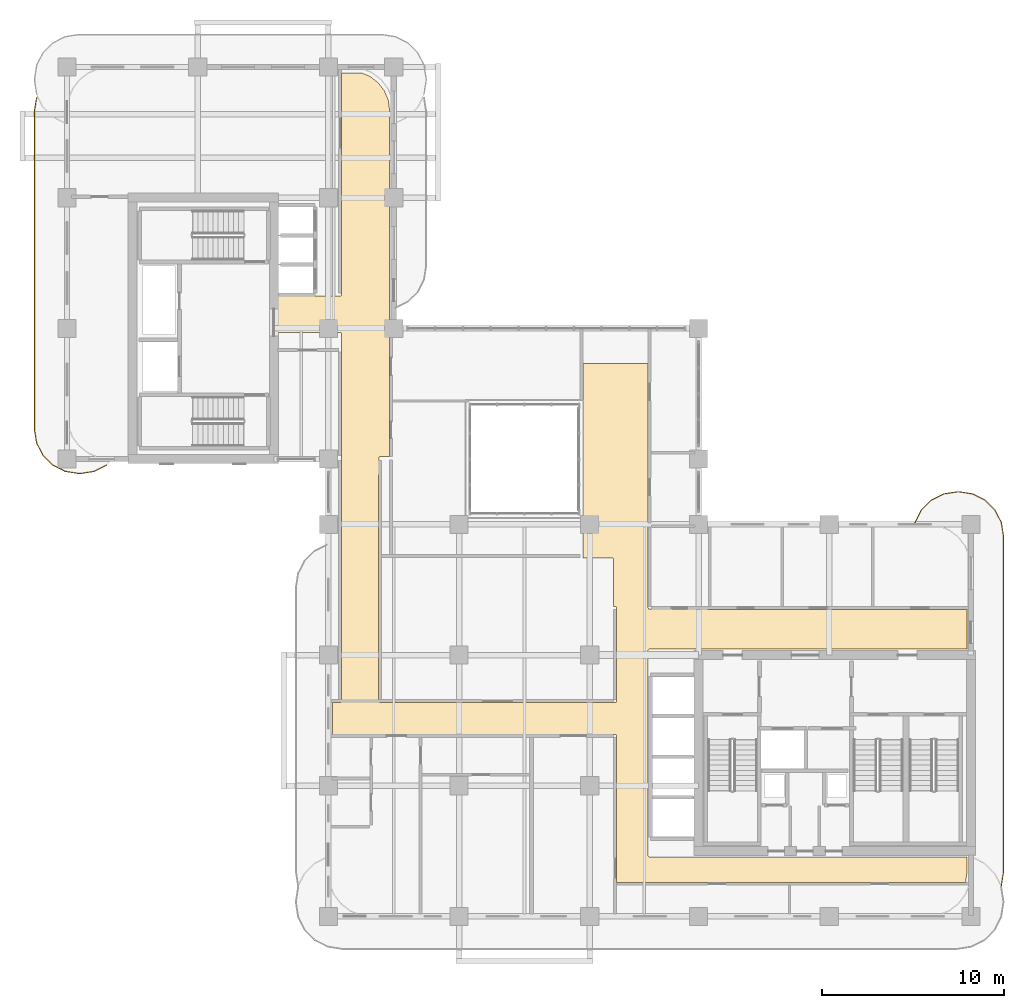
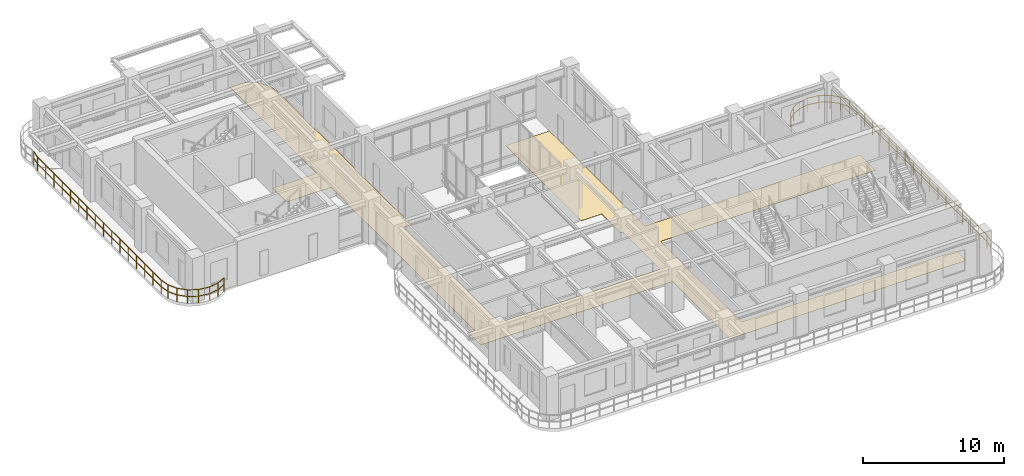
# One storey, part 18 of 19: 2 railings, 1 covering.
"""IFC4 building model written with IfcOpenShell, lengths in metres."""

from ifc_helpers import new_model, si_unit, derived_unit, direction, frame, origin, origin_2d, place, context, subcontext, project, spatial, polyline, rectangle, outline, extrude, material, layer, layer_set, type_object, element, save


model = new_model("IFC4")

# Units and contexts
model_context = context("Model", 3, precision=1e-05, world=origin(), true_north=direction((0.0, 1.0)))
body_context = subcontext(model_context, "Body", "Model", "MODEL_VIEW")
ifc_project = project(units=[si_unit("LENGTHUNIT", "METRE"), si_unit("AREAUNIT", "SQUARE_METRE"), si_unit("VOLUMEUNIT", "CUBIC_METRE"), si_unit("PLANEANGLEUNIT", "RADIAN"), si_unit("MASSUNIT", "GRAM", prefix="KILO"), si_unit("THERMODYNAMICTEMPERATUREUNIT", "KELVIN"), si_unit("POWERUNIT", "WATT"), derived_unit("THERMALTRANSMITTANCEUNIT", [(si_unit("POWERUNIT", "WATT"), 1), (si_unit("AREAUNIT", "SQUARE_METRE"), -1), (si_unit("THERMODYNAMICTEMPERATUREUNIT", "KELVIN"), -1)])], contexts=[model_context])

# Site, building, storey
site_placement = place(None, origin())
site = spatial("IfcSite", under=ifc_project, at=site_placement, CompositionType="ELEMENT")
building_placement = place(site_placement, origin())
building = spatial("IfcBuilding", under=site, at=building_placement, Name="Zahravan Archway Hotel and Residences", CompositionType="ELEMENT")
storey_placement = place(building_placement, frame((0.0, 0.0, 158.0)))
storey = spatial("IfcBuildingStorey", under=building, at=storey_placement, Name="L39", CompositionType="ELEMENT", Elevation=158.0)

# Covering
ifc_material_1 = material(Name="Engineered Walnut Parquet Flooring")
ifc_layer = layer(ifc_material_1, 0.02197265625, Name="Engineered Walnut Parquet Flooring")
ifc_layer_set = layer_set([ifc_layer], Name="Engineered Walnut Parquet Flooring")
covering_type = type_object("IfcCoveringType", Name="COV-FLR-TIMB", PredefinedType="FLOORING", material=ifc_layer_set)
covering_placement = place(storey_placement, origin())
element("IfcCovering", 1, at=covering_placement, inside=storey, type_object=covering_type, Name="L39 Circulation Floor Finish", PredefinedType="FLOORING", context=body_context, shape_type="SweptSolid", body=[
    extrude(outline(polyline([(32.09228515625, 14.7294921875), (32.04931640625, 14.7119140625), (32.0234375, 14.673095703125), (32.02001953125, 3.35009765625), (32.033447265625, 3.3056640625), (32.0693359375, 3.276123046875), (49.580078125, 3.27001953125), (49.580078125, 2.414306640625), (49.509521484375, 1.8798828125), (30.280029296875, 1.8798828125), (30.280029296875, 9.949951171875), (30.2666015625, 9.994384765625), (30.230712890625, 10.02392578125), (14.6201171875, 10.030029296875), (14.6201171875, 11.7900390625), (15.050048828125, 11.7900390625), (15.094482421875, 11.803466796875), (15.123779296875, 11.83935546875), (15.1298828125, 32.10009765625), (15.116455078125, 32.144287109375), (15.08056640625, 32.173828125), (11.530029296875, 32.179931640625), (11.530029296875, 34.169921875), (15.050048828125, 34.169921875), (15.094482421875, 34.18359375), (15.123779296875, 34.219482421875), (15.1298828125, 46.469970703125), (16.24560546875, 46.469970703125), (16.689208984375, 46.286376953125), (17.14013671875, 45.940185546875), (17.486328125, 45.489013671875), (17.703857421875, 44.9638671875), (17.77001953125, 44.46142578125), (17.77001953125, 25.330078125), (17.25, 25.330078125), (17.20556640625, 25.31640625), (17.176025390625, 25.280517578125), (17.169921875, 11.8701171875), (17.18359375, 11.82568359375), (17.219482421875, 11.796142578125), (30.199951171875, 11.7900390625), (30.244384765625, 11.803466796875), (30.27392578125, 11.83935546875), (30.280029296875, 17.0), (30.2666015625, 17.04443359375), (30.230712890625, 17.073974609375), (30.10009765625, 17.080078125), (30.10009765625, 19.719970703125), (30.072998046875, 19.75), (28.429931640625, 19.75), (28.429931640625, 30.469970703125), (32.02001953125, 30.469970703125), (32.02001953125, 17.0), (32.033447265625, 16.95556640625), (32.0693359375, 16.926025390625), (49.580078125, 16.919921875), (49.580078125, 14.72998046875), (32.10009765625, 14.72998046875), (32.09228515625, 14.7294921875)])), origin(), (0.0, 0.0, 1.0), 0.02197265625),
])

# Railings
ifc_material_2 = material(Name="Bronze & Laminated Glass Balustrade", Category="glass")
railing_type = type_object("IfcRailingType", Name="RL-BAL-1200", PredefinedType="BALUSTRADE", material=ifc_material_2)
railing_1_placement = place(storey_placement, frame((46.719970703125, 21.70703125, 0.0)))
element("IfcRailing", 2, at=railing_1_placement, inside=storey, type_object=railing_type, Name="L39 Balustrade RL-SLB-BAL-L39-EA-1", PredefinedType="BALUSTRADE", context=body_context, shape_type="SweptSolid", body=[
    extrude(rectangle(XDim=0.048095703125, YDim=0.048095703125, at=origin_2d()), frame((0.0, 0.0, 1.17578125), z_axis=(0.453825591531, 0.891090529897, 0.0), x_axis=(-0.891090529897, 0.453825591531, 0.0)), (0.0, 0.0, 1.0), 0.7666015625),
    extrude(rectangle(XDim=0.048095703125, YDim=0.048095703125, at=origin_2d()), frame((0.0, 0.0, 0.60009765625), z_axis=(0.453825591531, 0.891090529897, 0.0), x_axis=(-0.891090529897, 0.453825591531, 0.0)), (0.0, 0.0, 1.0), 0.7666015625),
    extrude(rectangle(XDim=0.048095703125, YDim=0.048095703125, at=origin_2d()), frame((0.347900390625, 0.68310546875, 1.17578125), z_axis=(0.707106781187, 0.707106781187, 0.0), x_axis=(-0.707106781187, 0.707106781187, 0.0)), (0.0, 0.0, 1.0), 0.7666015625),
    extrude(rectangle(XDim=0.048095703125, YDim=0.048095703125, at=origin_2d()), frame((0.347900390625, 0.68310546875, 0.60009765625), z_axis=(0.707106781187, 0.707106781187, 0.0), x_axis=(-0.707106781187, 0.707106781187, 0.0)), (0.0, 0.0, 1.0), 0.7666015625),
    extrude(rectangle(XDim=0.048095703125, YDim=0.048095703125, at=origin_2d()), frame((0.889892578125, 1.22509765625, 1.17578125), z_axis=(0.891090529897, 0.453825591531, 0.0), x_axis=(-0.453825591531, 0.891090529897, 0.0)), (0.0, 0.0, 1.0), 0.7666015625),
    extrude(rectangle(XDim=0.048095703125, YDim=0.048095703125, at=origin_2d()), frame((0.889892578125, 1.22509765625, 0.60009765625), z_axis=(0.891090529897, 0.453825591531, 0.0), x_axis=(-0.453825591531, 0.891090529897, 0.0)), (0.0, 0.0, 1.0), 0.7666015625),
    extrude(rectangle(XDim=0.048095703125, YDim=0.048095703125, at=origin_2d()), frame((1.572998046875, 1.572998046875, 1.17578125), z_axis=(0.987695728695, 0.156387811283, 0.0), x_axis=(-0.156387811283, 0.987695728695, 0.0)), (0.0, 0.0, 1.0), 0.7666015625),
    extrude(rectangle(XDim=0.048095703125, YDim=0.048095703125, at=origin_2d()), frame((1.572998046875, 1.572998046875, 0.60009765625), z_axis=(0.987695728695, 0.156387811283, 0.0), x_axis=(-0.156387811283, 0.987695728695, 0.0)), (0.0, 0.0, 1.0), 0.7666015625),
    extrude(rectangle(XDim=0.048095703125, YDim=0.048095703125, at=origin_2d()), frame((2.330078125, 1.69287109375, 1.17578125), z_axis=(1.0, 0.0, 0.0), x_axis=(0.0, 1.0, 0.0)), (0.0, 0.0, 1.0), 0.099853515625),
    extrude(rectangle(XDim=0.048095703125, YDim=0.048095703125, at=origin_2d()), frame((2.330078125, 1.69287109375, 0.60009765625), z_axis=(1.0, 0.0, 0.0), x_axis=(0.0, 1.0, 0.0)), (0.0, 0.0, 1.0), 0.099853515625),
    extrude(rectangle(XDim=0.048095703125, YDim=0.048095703125, at=origin_2d()), frame((2.429931640625, 1.69287109375, 1.17578125), z_axis=(0.987695728695, -0.156387811283, 0.0), x_axis=(0.156387811283, 0.987695728695, 0.0)), (0.0, 0.0, 1.0), 0.7666015625),
    extrude(rectangle(XDim=0.048095703125, YDim=0.048095703125, at=origin_2d()), frame((2.429931640625, 1.69287109375, 0.60009765625), z_axis=(0.987695728695, -0.156387811283, 0.0), x_axis=(0.156387811283, 0.987695728695, 0.0)), (0.0, 0.0, 1.0), 0.7666015625),
    extrude(rectangle(XDim=0.048095703125, YDim=0.048095703125, at=origin_2d()), frame((3.18701171875, 1.572998046875, 1.17578125), z_axis=(0.891090529897, -0.453825591531, 0.0), x_axis=(0.453825591531, 0.891090529897, 0.0)), (0.0, 0.0, 1.0), 0.7666015625),
    extrude(rectangle(XDim=0.048095703125, YDim=0.048095703125, at=origin_2d()), frame((3.18701171875, 1.572998046875, 0.60009765625), z_axis=(0.891090529897, -0.453825591531, 0.0), x_axis=(0.453825591531, 0.891090529897, 0.0)), (0.0, 0.0, 1.0), 0.7666015625),
    extrude(rectangle(XDim=0.048095703125, YDim=0.048095703125, at=origin_2d()), frame((3.8701171875, 1.22509765625, 1.17578125), z_axis=(0.707106781187, -0.707106781187, 0.0), x_axis=(0.707106781187, 0.707106781187, 0.0)), (0.0, 0.0, 1.0), 0.7666015625),
    extrude(rectangle(XDim=0.048095703125, YDim=0.048095703125, at=origin_2d()), frame((3.8701171875, 1.22509765625, 0.60009765625), z_axis=(0.707106781187, -0.707106781187, 0.0), x_axis=(0.707106781187, 0.707106781187, 0.0)), (0.0, 0.0, 1.0), 0.7666015625),
    extrude(rectangle(XDim=0.048095703125, YDim=0.048095703125, at=origin_2d()), frame((4.412109375, 0.68310546875, 1.17578125), z_axis=(0.453825591531, -0.891090529897, 0.0), x_axis=(0.891090529897, 0.453825591531, 0.0)), (0.0, 0.0, 1.0), 0.7666015625),
    extrude(rectangle(XDim=0.048095703125, YDim=0.048095703125, at=origin_2d()), frame((4.412109375, 0.68310546875, 0.60009765625), z_axis=(0.453825591531, -0.891090529897, 0.0), x_axis=(0.891090529897, 0.453825591531, 0.0)), (0.0, 0.0, 1.0), 0.7666015625),
    extrude(rectangle(XDim=0.048095703125, YDim=0.048095703125, at=origin_2d()), frame((4.760009765625, 0.0, 1.17578125), z_axis=(0.156698507018, -0.987646484274, 0.0), x_axis=(0.987646484274, 0.156698507018, 0.0)), (0.0, 0.0, 1.0), 0.7666015625),
    extrude(rectangle(XDim=0.048095703125, YDim=0.048095703125, at=origin_2d()), frame((4.760009765625, 0.0, 0.60009765625), z_axis=(0.156698507018, -0.987646484274, 0.0), x_axis=(0.987646484274, 0.156698507018, 0.0)), (0.0, 0.0, 1.0), 0.7666015625),
    extrude(rectangle(XDim=0.048095703125, YDim=0.048095703125, at=origin_2d()), frame((4.880126953125, -0.757080078125, 1.17578125), z_axis=(0.0, -1.0, 0.0), x_axis=(1.0, 0.0, 0.0)), (0.0, 0.0, 1.0), 18.5),
    extrude(rectangle(XDim=0.048095703125, YDim=0.048095703125, at=origin_2d()), frame((4.880126953125, -0.757080078125, 0.60009765625), z_axis=(0.0, -1.0, 0.0), x_axis=(1.0, 0.0, 0.0)), (0.0, 0.0, 1.0), 18.5),
    extrude(rectangle(XDim=0.048095703125, YDim=0.048095703125, at=origin_2d()), frame((4.880126953125, -19.257080078125, 1.17578125), z_axis=(-0.156698507018, -0.987646484274, 0.0), x_axis=(0.987646484274, -0.156698507018, 0.0)), (0.0, 0.0, 1.0), 0.7666015625),
    extrude(rectangle(XDim=0.048095703125, YDim=0.048095703125, at=origin_2d()), frame((4.880126953125, -19.257080078125, 0.60009765625), z_axis=(-0.156698507018, -0.987646484274, 0.0), x_axis=(0.987646484274, -0.156698507018, 0.0)), (0.0, 0.0, 1.0), 0.7666015625),
    extrude(rectangle(XDim=0.0419921875, YDim=0.0419921875, at=origin_2d()), origin(), (0.0, 0.0, 1.0), 1.15185546875),
    extrude(rectangle(XDim=0.0419921875, YDim=0.0419921875, at=origin_2d()), frame((0.347900390625, 0.68310546875, 0.0)), (0.0, 0.0, 1.0), 1.15185546875),
    extrude(rectangle(XDim=0.0419921875, YDim=0.0419921875, at=origin_2d()), frame((0.889892578125, 1.22509765625, 0.0)), (0.0, 0.0, 1.0), 1.15185546875),
    extrude(rectangle(XDim=0.0419921875, YDim=0.0419921875, at=origin_2d()), frame((1.572998046875, 1.572998046875, 0.0)), (0.0, 0.0, 1.0), 1.15185546875),
    extrude(rectangle(XDim=0.0419921875, YDim=0.0419921875, at=origin_2d()), frame((2.330078125, 1.69287109375, 0.0)), (0.0, 0.0, 1.0), 1.15185546875),
    extrude(rectangle(XDim=0.0419921875, YDim=0.0419921875, at=origin_2d()), frame((3.18701171875, 1.572998046875, 0.0)), (0.0, 0.0, 1.0), 1.15185546875),
    extrude(rectangle(XDim=0.0419921875, YDim=0.0419921875, at=origin_2d()), frame((3.8701171875, 1.22509765625, 0.0)), (0.0, 0.0, 1.0), 1.15185546875),
    extrude(rectangle(XDim=0.0419921875, YDim=0.0419921875, at=origin_2d()), frame((4.412109375, 0.68310546875, 0.0)), (0.0, 0.0, 1.0), 1.15185546875),
    extrude(rectangle(XDim=0.0419921875, YDim=0.0419921875, at=origin_2d()), frame((4.760009765625, 0.0, 0.0)), (0.0, 0.0, 1.0), 1.15185546875),
    extrude(rectangle(XDim=0.0419921875, YDim=0.0419921875, at=origin_2d()), frame((4.880126953125, -0.757080078125, 0.0)), (0.0, 0.0, 1.0), 1.15185546875),
    extrude(rectangle(XDim=0.0419921875, YDim=0.0419921875, at=origin_2d()), frame((4.880126953125, -1.913330078125, 0.0)), (0.0, 0.0, 1.0), 1.15185546875),
    extrude(rectangle(XDim=0.0419921875, YDim=0.0419921875, at=origin_2d()), frame((4.880126953125, -3.069580078125, 0.0)), (0.0, 0.0, 1.0), 1.15185546875),
    extrude(rectangle(XDim=0.0419921875, YDim=0.0419921875, at=origin_2d()), frame((4.880126953125, -4.225830078125, 0.0)), (0.0, 0.0, 1.0), 1.15185546875),
    extrude(rectangle(XDim=0.0419921875, YDim=0.0419921875, at=origin_2d()), frame((4.880126953125, -5.382080078125, 0.0)), (0.0, 0.0, 1.0), 1.15185546875),
    extrude(rectangle(XDim=0.0419921875, YDim=0.0419921875, at=origin_2d()), frame((4.880126953125, -6.538330078125, 0.0)), (0.0, 0.0, 1.0), 1.15185546875),
    extrude(rectangle(XDim=0.0419921875, YDim=0.0419921875, at=origin_2d()), frame((4.880126953125, -7.694580078125, 0.0)), (0.0, 0.0, 1.0), 1.15185546875),
    extrude(rectangle(XDim=0.0419921875, YDim=0.0419921875, at=origin_2d()), frame((4.880126953125, -8.850830078125, 0.0)), (0.0, 0.0, 1.0), 1.15185546875),
    extrude(rectangle(XDim=0.0419921875, YDim=0.0419921875, at=origin_2d()), frame((4.880126953125, -10.007080078125, 0.0)), (0.0, 0.0, 1.0), 1.15185546875),
    extrude(rectangle(XDim=0.0419921875, YDim=0.0419921875, at=origin_2d()), frame((4.880126953125, -11.163330078125, 0.0)), (0.0, 0.0, 1.0), 1.15185546875),
    extrude(rectangle(XDim=0.0419921875, YDim=0.0419921875, at=origin_2d()), frame((4.880126953125, -12.319580078125, 0.0)), (0.0, 0.0, 1.0), 1.15185546875),
    extrude(rectangle(XDim=0.0419921875, YDim=0.0419921875, at=origin_2d()), frame((4.880126953125, -13.475830078125, 0.0)), (0.0, 0.0, 1.0), 1.15185546875),
    extrude(rectangle(XDim=0.0419921875, YDim=0.0419921875, at=origin_2d()), frame((4.880126953125, -14.632080078125, 0.0)), (0.0, 0.0, 1.0), 1.15185546875),
    extrude(rectangle(XDim=0.0419921875, YDim=0.0419921875, at=origin_2d()), frame((4.880126953125, -15.788330078125, 0.0)), (0.0, 0.0, 1.0), 1.15185546875),
    extrude(rectangle(XDim=0.0419921875, YDim=0.0419921875, at=origin_2d()), frame((4.880126953125, -16.944580078125, 0.0)), (0.0, 0.0, 1.0), 1.15185546875),
    extrude(rectangle(XDim=0.0419921875, YDim=0.0419921875, at=origin_2d()), frame((4.880126953125, -18.100830078125, 0.0)), (0.0, 0.0, 1.0), 1.15185546875),
    extrude(rectangle(XDim=0.0419921875, YDim=0.0419921875, at=origin_2d()), frame((4.880126953125, -19.257080078125, 0.0)), (0.0, 0.0, 1.0), 1.15185546875),
    extrude(rectangle(XDim=0.0419921875, YDim=0.0419921875, at=origin_2d()), frame((4.760009765625, -20.01416015625, 0.0)), (0.0, 0.0, 1.0), 1.15185546875),
])
railing_2_placement = place(storey_placement, frame((2.190185546875, 24.867919921875, 0.0)))
element("IfcRailing", 3, at=railing_2_placement, inside=storey, type_object=railing_type, Name="L39 Balustrade RL-SLB-BAL-L39-WB-1", PredefinedType="BALUSTRADE", context=body_context, shape_type="SweptSolid", body=[
    extrude(rectangle(XDim=0.048095703125, YDim=0.048095703125, at=origin_2d()), frame((0.0, 0.0, 1.17578125), z_axis=(-0.891090529897, -0.453825591531, 0.0), x_axis=(0.453825591531, -0.891090529897, 0.0)), (0.0, 0.0, 1.0), 0.7666015625),
    extrude(rectangle(XDim=0.048095703125, YDim=0.048095703125, at=origin_2d()), frame((0.0, 0.0, 0.60009765625), z_axis=(-0.891090529897, -0.453825591531, 0.0), x_axis=(0.453825591531, -0.891090529897, 0.0)), (0.0, 0.0, 1.0), 0.7666015625),
    extrude(rectangle(XDim=0.048095703125, YDim=0.048095703125, at=origin_2d()), frame((-0.68310546875, -0.347900390625, 1.17578125), z_axis=(-0.987646484274, -0.156698507018, 0.0), x_axis=(0.156698507018, -0.987646484274, 0.0)), (0.0, 0.0, 1.0), 0.7666015625),
    extrude(rectangle(XDim=0.048095703125, YDim=0.048095703125, at=origin_2d()), frame((-0.68310546875, -0.347900390625, 0.60009765625), z_axis=(-0.987646484274, -0.156698507018, 0.0), x_axis=(0.156698507018, -0.987646484274, 0.0)), (0.0, 0.0, 1.0), 0.7666015625),
    extrude(rectangle(XDim=0.048095703125, YDim=0.048095703125, at=origin_2d()), frame((-1.440185546875, -0.468017578125, 1.17578125), z_axis=(-1.0, 0.0, 0.0), x_axis=(0.0, -1.0, 0.0)), (0.0, 0.0, 1.0), 0.10009765625),
    extrude(rectangle(XDim=0.048095703125, YDim=0.048095703125, at=origin_2d()), frame((-1.440185546875, -0.468017578125, 0.60009765625), z_axis=(-1.0, 0.0, 0.0), x_axis=(0.0, -1.0, 0.0)), (0.0, 0.0, 1.0), 0.10009765625),
    extrude(rectangle(XDim=0.048095703125, YDim=0.048095703125, at=origin_2d()), frame((-1.540283203125, -0.468017578125, 1.17578125), z_axis=(-0.987646484274, 0.156698507018, 0.0), x_axis=(-0.156698507018, -0.987646484274, 0.0)), (0.0, 0.0, 1.0), 0.7666015625),
    extrude(rectangle(XDim=0.048095703125, YDim=0.048095703125, at=origin_2d()), frame((-1.540283203125, -0.468017578125, 0.60009765625), z_axis=(-0.987646484274, 0.156698507018, 0.0), x_axis=(-0.156698507018, -0.987646484274, 0.0)), (0.0, 0.0, 1.0), 0.7666015625),
    extrude(rectangle(XDim=0.048095703125, YDim=0.048095703125, at=origin_2d()), frame((-2.29736328125, -0.347900390625, 1.17578125), z_axis=(-0.891024909783, 0.453954414172, 0.0), x_axis=(-0.453954414172, -0.891024909783, 0.0)), (0.0, 0.0, 1.0), 0.766357421875),
    extrude(rectangle(XDim=0.048095703125, YDim=0.048095703125, at=origin_2d()), frame((-2.29736328125, -0.347900390625, 0.60009765625), z_axis=(-0.891024909783, 0.453954414172, 0.0), x_axis=(-0.453954414172, -0.891024909783, 0.0)), (0.0, 0.0, 1.0), 0.766357421875),
    extrude(rectangle(XDim=0.048095703125, YDim=0.048095703125, at=origin_2d()), frame((-2.980224609375, 0.0, 1.17578125), z_axis=(-0.707106781187, 0.707106781187, 0.0), x_axis=(-0.707106781187, -0.707106781187, 0.0)), (0.0, 0.0, 1.0), 0.7666015625),
    extrude(rectangle(XDim=0.048095703125, YDim=0.048095703125, at=origin_2d()), frame((-2.980224609375, 0.0, 0.60009765625), z_axis=(-0.707106781187, 0.707106781187, 0.0), x_axis=(-0.707106781187, -0.707106781187, 0.0)), (0.0, 0.0, 1.0), 0.7666015625),
    extrude(rectangle(XDim=0.048095703125, YDim=0.048095703125, at=origin_2d()), frame((-3.522216796875, 0.5419921875, 1.17578125), z_axis=(-0.454078418624, 0.890961721815, 0.0), x_axis=(-0.890961721815, -0.454078418624, 0.0)), (0.0, 0.0, 1.0), 0.7666015625),
    extrude(rectangle(XDim=0.048095703125, YDim=0.048095703125, at=origin_2d()), frame((-3.522216796875, 0.5419921875, 0.60009765625), z_axis=(-0.454078418624, 0.890961721815, 0.0), x_axis=(-0.890961721815, -0.454078418624, 0.0)), (0.0, 0.0, 1.0), 0.7666015625),
    extrude(rectangle(XDim=0.048095703125, YDim=0.048095703125, at=origin_2d()), frame((-3.870361328125, 1.22509765625, 1.17578125), z_axis=(-0.156387811283, 0.987695728695, 0.0), x_axis=(-0.987695728695, -0.156387811283, 0.0)), (0.0, 0.0, 1.0), 0.7666015625),
    extrude(rectangle(XDim=0.048095703125, YDim=0.048095703125, at=origin_2d()), frame((-3.870361328125, 1.22509765625, 0.60009765625), z_axis=(-0.156387811283, 0.987695728695, 0.0), x_axis=(-0.987695728695, -0.156387811283, 0.0)), (0.0, 0.0, 1.0), 0.7666015625),
    extrude(rectangle(XDim=0.048095703125, YDim=0.048095703125, at=origin_2d()), frame((-3.990234375, 1.982177734375, 1.17578125), z_axis=(0.0, 1.0, 0.0), x_axis=(-1.0, 0.0, 0.0)), (0.0, 0.0, 1.0), 17.5),
    extrude(rectangle(XDim=0.048095703125, YDim=0.048095703125, at=origin_2d()), frame((-3.990234375, 1.982177734375, 0.60009765625), z_axis=(0.0, 1.0, 0.0), x_axis=(-1.0, 0.0, 0.0)), (0.0, 0.0, 1.0), 17.5),
    extrude(rectangle(XDim=0.048095703125, YDim=0.048095703125, at=origin_2d()), frame((-3.990234375, 19.482177734375, 1.17578125), z_axis=(0.156387811283, 0.987695728695, 0.0), x_axis=(-0.987695728695, 0.156387811283, 0.0)), (0.0, 0.0, 1.0), 0.7666015625),
    extrude(rectangle(XDim=0.048095703125, YDim=0.048095703125, at=origin_2d()), frame((-3.990234375, 19.482177734375, 0.60009765625), z_axis=(0.156387811283, 0.987695728695, 0.0), x_axis=(-0.987695728695, 0.156387811283, 0.0)), (0.0, 0.0, 1.0), 0.7666015625),
    extrude(rectangle(XDim=0.0419921875, YDim=0.0419921875, at=origin_2d()), origin(), (0.0, 0.0, 1.0), 1.15185546875),
    extrude(rectangle(XDim=0.0419921875, YDim=0.0419921875, at=origin_2d()), frame((-0.68310546875, -0.347900390625, 0.0)), (0.0, 0.0, 1.0), 1.15185546875),
    extrude(rectangle(XDim=0.0419921875, YDim=0.0419921875, at=origin_2d()), frame((-1.440185546875, -0.468017578125, 0.0)), (0.0, 0.0, 1.0), 1.15185546875),
    extrude(rectangle(XDim=0.0419921875, YDim=0.0419921875, at=origin_2d()), frame((-2.29736328125, -0.347900390625, 0.0)), (0.0, 0.0, 1.0), 1.15185546875),
    extrude(rectangle(XDim=0.0419921875, YDim=0.0419921875, at=origin_2d()), frame((-2.980224609375, 0.0, 0.0)), (0.0, 0.0, 1.0), 1.15185546875),
    extrude(rectangle(XDim=0.0419921875, YDim=0.0419921875, at=origin_2d()), frame((-3.522216796875, 0.5419921875, 0.0)), (0.0, 0.0, 1.0), 1.15185546875),
    extrude(rectangle(XDim=0.0419921875, YDim=0.0419921875, at=origin_2d()), frame((-3.870361328125, 1.22509765625, 0.0)), (0.0, 0.0, 1.0), 1.15185546875),
    extrude(rectangle(XDim=0.0419921875, YDim=0.0419921875, at=origin_2d()), frame((-3.990234375, 1.982177734375, 0.0)), (0.0, 0.0, 1.0), 1.15185546875),
    extrude(rectangle(XDim=0.0419921875, YDim=0.0419921875, at=origin_2d()), frame((-3.990234375, 3.14892578125, 0.0)), (0.0, 0.0, 1.0), 1.15185546875),
    extrude(rectangle(XDim=0.0419921875, YDim=0.0419921875, at=origin_2d()), frame((-3.990234375, 4.3154296875, 0.0)), (0.0, 0.0, 1.0), 1.15185546875),
    extrude(rectangle(XDim=0.0419921875, YDim=0.0419921875, at=origin_2d()), frame((-3.990234375, 5.482177734375, 0.0)), (0.0, 0.0, 1.0), 1.15185546875),
    extrude(rectangle(XDim=0.0419921875, YDim=0.0419921875, at=origin_2d()), frame((-3.990234375, 6.64892578125, 0.0)), (0.0, 0.0, 1.0), 1.15185546875),
    extrude(rectangle(XDim=0.0419921875, YDim=0.0419921875, at=origin_2d()), frame((-3.990234375, 7.8154296875, 0.0)), (0.0, 0.0, 1.0), 1.15185546875),
    extrude(rectangle(XDim=0.0419921875, YDim=0.0419921875, at=origin_2d()), frame((-3.990234375, 8.982177734375, 0.0)), (0.0, 0.0, 1.0), 1.15185546875),
    extrude(rectangle(XDim=0.0419921875, YDim=0.0419921875, at=origin_2d()), frame((-3.990234375, 10.14892578125, 0.0)), (0.0, 0.0, 1.0), 1.15185546875),
    extrude(rectangle(XDim=0.0419921875, YDim=0.0419921875, at=origin_2d()), frame((-3.990234375, 11.3154296875, 0.0)), (0.0, 0.0, 1.0), 1.15185546875),
    extrude(rectangle(XDim=0.0419921875, YDim=0.0419921875, at=origin_2d()), frame((-3.990234375, 12.482177734375, 0.0)), (0.0, 0.0, 1.0), 1.15185546875),
    extrude(rectangle(XDim=0.0419921875, YDim=0.0419921875, at=origin_2d()), frame((-3.990234375, 13.64892578125, 0.0)), (0.0, 0.0, 1.0), 1.15185546875),
    extrude(rectangle(XDim=0.0419921875, YDim=0.0419921875, at=origin_2d()), frame((-3.990234375, 14.8154296875, 0.0)), (0.0, 0.0, 1.0), 1.15185546875),
    extrude(rectangle(XDim=0.0419921875, YDim=0.0419921875, at=origin_2d()), frame((-3.990234375, 15.982177734375, 0.0)), (0.0, 0.0, 1.0), 1.15185546875),
    extrude(rectangle(XDim=0.0419921875, YDim=0.0419921875, at=origin_2d()), frame((-3.990234375, 17.14892578125, 0.0)), (0.0, 0.0, 1.0), 1.15185546875),
    extrude(rectangle(XDim=0.0419921875, YDim=0.0419921875, at=origin_2d()), frame((-3.990234375, 18.3154296875, 0.0)), (0.0, 0.0, 1.0), 1.15185546875),
    extrude(rectangle(XDim=0.0419921875, YDim=0.0419921875, at=origin_2d()), frame((-3.990234375, 19.482177734375, 0.0)), (0.0, 0.0, 1.0), 1.15185546875),
    extrude(rectangle(XDim=0.0419921875, YDim=0.0419921875, at=origin_2d()), frame((-3.870361328125, 20.2392578125, 0.0)), (0.0, 0.0, 1.0), 1.15185546875),
])

save(model, "model.ifc")
